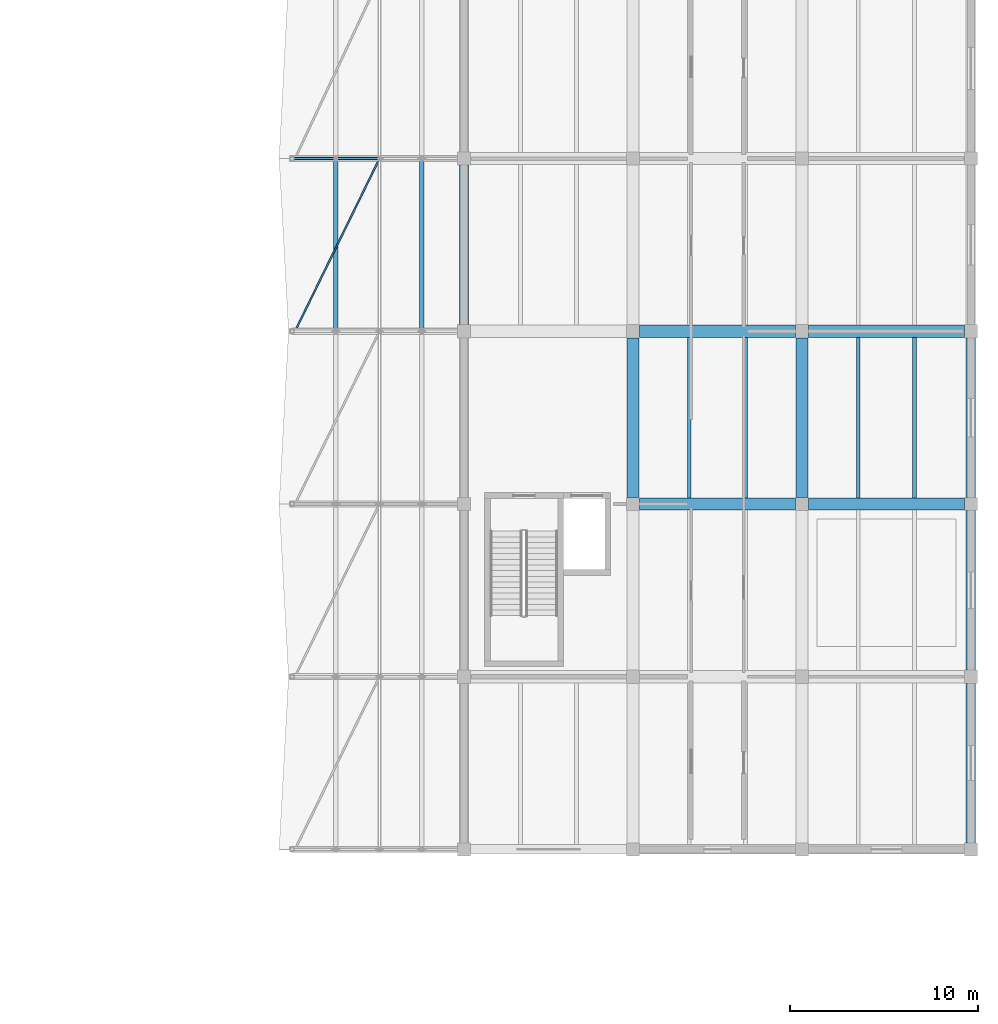
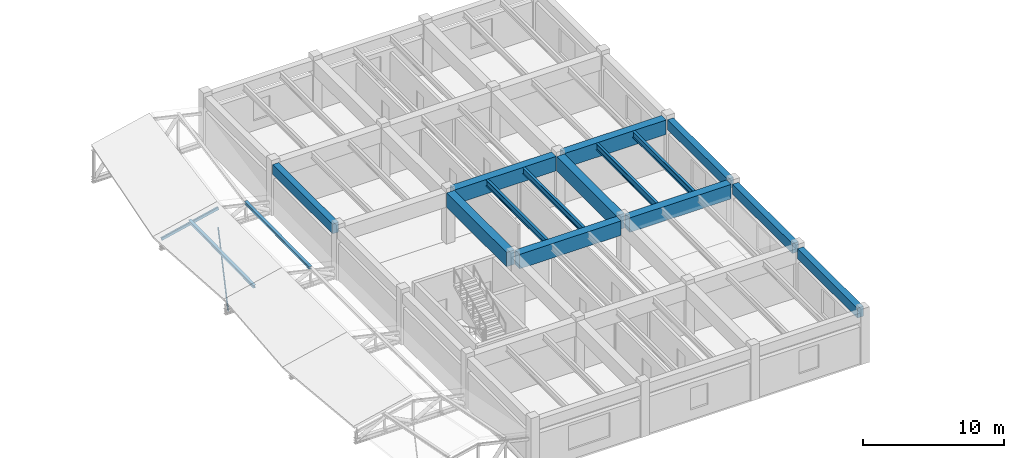
# One storey, part 44 of 90: 14 beams, 4 members.
"""IFC4 building model written with IfcOpenShell, lengths in metres."""

from ifc_helpers import new_model, si_unit, direction, frame, origin, origin_2d, place, context, subcontext, project, spatial, rectangle, hollow_rectangle, i_section, extrude, material, material_profile, profile_set, type_object, element, save


model = new_model("IFC4")

# Units and contexts
model_context = context("Model", 3, precision=1e-05, world=origin(), true_north=direction((0.0, 1.0)))
body_context = subcontext(model_context, "Body", "Model", "MODEL_VIEW")
ifc_project = project(units=[si_unit("LENGTHUNIT", "METRE"), si_unit("AREAUNIT", "SQUARE_METRE"), si_unit("VOLUMEUNIT", "CUBIC_METRE"), si_unit("PLANEANGLEUNIT", "RADIAN"), si_unit("MASSUNIT", "GRAM", prefix="KILO")], contexts=[model_context])

# Site, building, storey
site_placement = place(None, origin())
site = spatial("IfcSite", under=ifc_project, at=site_placement, CompositionType="ELEMENT")
building_placement = place(site_placement, origin())
building = spatial("IfcBuilding", under=site, at=building_placement, Name="Bozkorgan Art Gallery", CompositionType="ELEMENT")
storey_placement = place(building_placement, frame((0.0, 0.0, 5.39990234375)))
storey = spatial("IfcBuildingStorey", under=building, at=storey_placement, Name="L01", CompositionType="ELEMENT", Elevation=5.39990234375)

# Beams
ifc_material_1 = material(Name="Concrete C35/45", Category="concrete")
ifc_material_profile_1 = material_profile(ifc_material_1, rectangle(XDim=0.64990234375, YDim=1.25, at=origin_2d()), Name="RC 650x1250")
ifc_profile_set_1 = profile_set([ifc_material_profile_1], Name="Concrete C35/45")
beam_type_1 = type_object("IfcBeamType", Name="BEAM-BM-54", PredefinedType="BEAM", material=ifc_profile_set_1)
for number, where, z_axis, x_axis, name in (
    (1, (146.35009765625, 84.39990234375, 3.815185546875), (1.0, 0.0, 0.0), (0.0, 1.0, 0.0), "V5 L01 beam X (146-155, 84.4)"),
    (2, (155.35009765625, 84.39990234375, 3.815185546875), (1.0, 0.0, 0.0), (0.0, 1.0, 0.0), "V5 L01 beam X (155-164, 84.4)"),
    (3, (146.35009765625, 93.60009765625, 3.815185546875), (1.0, 0.0, 0.0), (0.0, 1.0, 0.0), "V5 L01 beam X (146-155, 93.6)"),
    (4, (155.35009765625, 93.60009765625, 3.815185546875), (1.0, 0.0, 0.0), (0.0, 1.0, 0.0), "V5 L01 beam X (155-164, 93.6)"),
):
    element("IfcBeam", number, at=place(storey_placement, frame(where, z_axis=z_axis, x_axis=x_axis)), inside=storey, type_object=beam_type_1, Name=name, PredefinedType="BEAM", context=body_context, shape_type="SweptSolid", body=[
        extrude(rectangle(XDim=0.64990234375, YDim=1.25, at=origin_2d()), origin(), (0.0, 0.0, 1.0), 8.2998046875),
    ])
for number, where, z_axis, x_axis, name in (
    (5, (146.0, 84.75, 3.815185546875), (0.0, 1.0, 0.0), (-1.0, 0.0, 0.0), "V5 L01 beam Y (146, 84.4-93.6)"),
    (6, (155.0, 84.75, 3.815185546875), (0.0, 1.0, 0.0), (-1.0, 0.0, 0.0), "V5 L01 beam Y (155, 84.4-93.6)"),
):
    element("IfcBeam", number, at=place(storey_placement, frame(where, z_axis=z_axis, x_axis=x_axis)), inside=storey, type_object=beam_type_1, Name=name, PredefinedType="BEAM", context=body_context, shape_type="SweptSolid", body=[
        extrude(rectangle(XDim=0.64990234375, YDim=1.25, at=origin_2d()), origin(), (0.0, 0.0, 1.0), 8.5),
    ])
ifc_material_2 = material(Name="Steel S355J2", Category="steel")
ifc_material_profile_2 = material_profile(ifc_material_2, i_section(OverallWidth=0.2099609375, OverallDepth=0.550048828125, WebThickness=0.010986328125, FlangeThickness=0.01708984375, FilletRadius=0.02392578125, at=origin_2d()), Name="IPE 550")
ifc_profile_set_2 = profile_set([ifc_material_profile_2], Name="Steel S355J2")
beam_type_2 = type_object("IfcBeamType", Name="BEAM-JS-62", PredefinedType="JOIST", material=ifc_profile_set_2)
for number, where, z_axis, x_axis, name in (
    (7, (149.0, 84.72509765625, 4.1650390625), (0.0, 1.0, 0.0), (-1.0, 0.0, 0.0), "V5 L01 secondary joist (146-155, 84.4-93.6) #1"),
    (8, (152.0, 84.72509765625, 4.1650390625), (0.0, 1.0, 0.0), (-1.0, 0.0, 0.0), "V5 L01 secondary joist (146-155, 84.4-93.6) #2"),
    (9, (158.0, 84.72509765625, 4.1650390625), (0.0, 1.0, 0.0), (-1.0, 0.0, 0.0), "V5 L01 secondary joist (155-164, 84.4-93.6) #1"),
    (10, (161.0, 84.72509765625, 4.1650390625), (0.0, 1.0, 0.0), (-1.0, 0.0, 0.0), "V5 L01 secondary joist (155-164, 84.4-93.6) #2"),
):
    element("IfcBeam", number, at=place(storey_placement, frame(where, z_axis=z_axis, x_axis=x_axis)), inside=storey, type_object=beam_type_2, Name=name, PredefinedType="JOIST", context=body_context, shape_type="SweptSolid", body=[
        extrude(i_section(OverallWidth=0.2099609375, OverallDepth=0.550048828125, WebThickness=0.010986328125, FlangeThickness=0.01708984375, FilletRadius=0.02392578125, at=origin_2d()), origin(), (0.0, 0.0, 1.0), 8.5498046875),
    ])
ifc_material_profile_3 = material_profile(ifc_material_1, rectangle(XDim=0.5, YDim=0.85009765625, at=origin_2d()), Name="RC 500x850")
ifc_profile_set_3 = profile_set([ifc_material_profile_3], Name="Concrete C35/45")
beam_type_3 = type_object("IfcBeamType", Name="BEAM-SP-30", PredefinedType="SPANDREL", material=ifc_profile_set_3)
for number, where, z_axis, x_axis, name in (
    (11, (137.0, 93.949951171875, 4.01513671875), (0.0, 1.0, 0.0), (-1.0, 0.0, 0.0), "V5 L01 spandrel Y (137, 93.6-102.8)"),
    (12, (164.0, 66.35009765625, 4.01513671875), (0.0, 1.0, 0.0), (-1.0, 0.0, 0.0), "V5 L01 spandrel Y (164, 66.0-75.2)"),
    (13, (164.0, 75.550048828125, 4.01513671875), (0.0, 1.0, 0.0), (-1.0, 0.0, 0.0), "V5 L01 spandrel Y (164, 75.2-84.4)"),
    (14, (164.0, 84.75, 4.01513671875), (0.0, 1.0, 0.0), (-1.0, 0.0, 0.0), "V5 L01 spandrel Y (164, 84.4-93.6)"),
):
    element("IfcBeam", number, at=place(storey_placement, frame(where, z_axis=z_axis, x_axis=x_axis)), inside=storey, type_object=beam_type_3, Name=name, PredefinedType="SPANDREL", context=body_context, shape_type="SweptSolid", body=[
        extrude(rectangle(XDim=0.5, YDim=0.85009765625, at=origin_2d()), origin(), (0.0, 0.0, 1.0), 8.5),
    ])

# Members
ifc_material_profile_4 = material_profile(ifc_material_2, i_section(OverallWidth=0.239990234375, OverallDepth=0.22998046875, WebThickness=0.007568359375, FlangeThickness=0.011962890625, FilletRadius=0.02099609375, at=origin_2d()), Name="HEA 240")
ifc_profile_set_4 = profile_set([ifc_material_profile_4], Name="Steel S355J2")
member_type_1 = type_object("IfcMemberType", Name="MEMBER-PR-93", PredefinedType="PURLIN", material=ifc_profile_set_4)
for number, where, z_axis, x_axis, name in (
    (15, (130.175048828125, 93.60009765625, 1.55126953125), (0.0, 0.999908069214, 0.013559244842), (-1.0, 0.0, 0.0), "ROOF-V5-DOCK roof purlin 4W"),
    (16, (134.75, 93.60009765625, 1.568115234375), (0.0, 0.999907709104, 0.013585774675), (-1.0, 0.0, 0.0), "ROOF-V5-DOCK roof purlin 4E"),
):
    element("IfcMember", number, at=place(storey_placement, frame(where, z_axis=z_axis, x_axis=x_axis)), inside=storey, type_object=member_type_1, Name=name, PredefinedType="PURLIN", context=body_context, shape_type="SweptSolid", body=[
        extrude(i_section(OverallWidth=0.239990234375, OverallDepth=0.22998046875, WebThickness=0.007568359375, FlangeThickness=0.011962890625, FilletRadius=0.02099609375, at=origin_2d()), origin(), (0.0, 0.0, 1.0), 9.20068359375),
    ])
ifc_material_profile_5 = material_profile(ifc_material_2, hollow_rectangle(XDim=0.14990234375, YDim=0.25, WallThickness=0.010009765625, InnerFilletRadius=0.014892578125, OuterFilletRadius=0.02490234375, at=origin_2d()), Name="RHS 250x150x10")
ifc_profile_set_5 = profile_set([ifc_material_profile_5], Name="Steel S355J2")
member_type_2 = type_object("IfcMemberType", Name="MEMBER-TC-35", PredefinedType="CHORD", material=ifc_profile_set_5)
member_1_placement = place(storey_placement, frame((127.85009765625, 102.800048828125, 0.90771484375), z_axis=(0.975150958549, 0.0, 0.221541436398), x_axis=(0.0, 1.0, 0.0)))
element("IfcMember", 17, at=member_1_placement, inside=storey, type_object=member_type_2, Name="ROOF-V5-DOCK roof truss 5 west top chord", PredefinedType="CHORD", context=body_context, shape_type="SweptSolid", body=[
    extrude(hollow_rectangle(XDim=0.14990234375, YDim=0.25, WallThickness=0.010009765625, InnerFilletRadius=0.014892578125, OuterFilletRadius=0.02490234375, at=origin_2d()), origin(), (0.0, 0.0, 1.0), 4.768310546875),
])
ifc_material_profile_6 = material_profile(ifc_material_2, hollow_rectangle(XDim=0.10009765625, YDim=0.14990234375, WallThickness=0.008056640625, InnerFilletRadius=0.011962890625, OuterFilletRadius=0.02001953125, at=origin_2d()), Name="RHS 150x100x8")
ifc_profile_set_6 = profile_set([ifc_material_profile_6], Name="Steel S355J2")
member_type_3 = type_object("IfcMemberType", Name="MEMBER-WB-10", PredefinedType="BRACE", material=ifc_profile_set_6)
member_2_placement = place(storey_placement, frame((128.0, 93.60009765625, 0.22509765625), z_axis=(0.439387129103, 0.898297807399, 0.0), x_axis=(-0.898297807399, 0.439387129103, 0.0)))
element("IfcMember", 18, at=member_2_placement, inside=storey, type_object=member_type_3, Name="ROOF-V5-DOCK roof diaphragm wind brace 4", PredefinedType="BRACE", context=body_context, shape_type="SweptSolid", body=[
    extrude(hollow_rectangle(XDim=0.10009765625, YDim=0.14990234375, WallThickness=0.008056640625, InnerFilletRadius=0.011962890625, OuterFilletRadius=0.02001953125, at=origin_2d()), origin(), (0.0, 0.0, 1.0), 10.241455078125),
])

save(model, "model.ifc")
